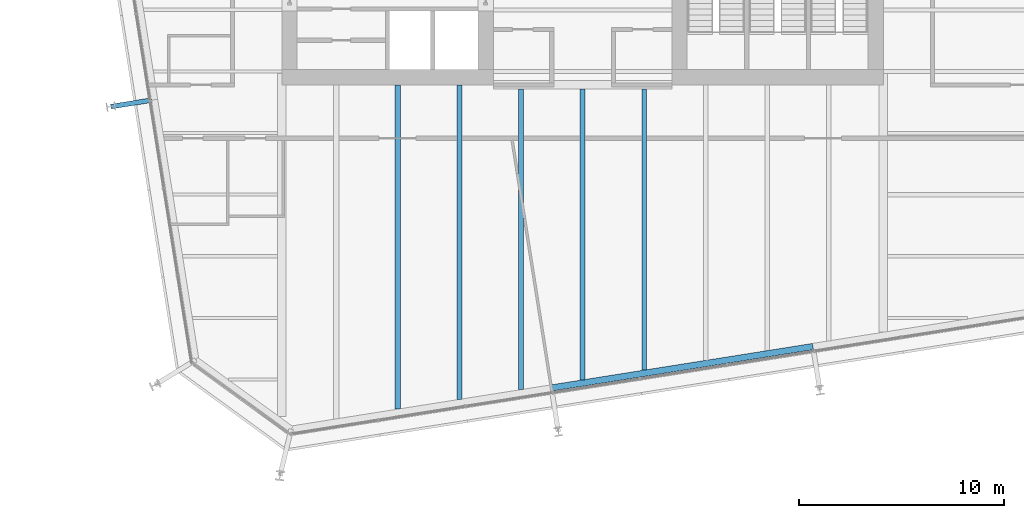
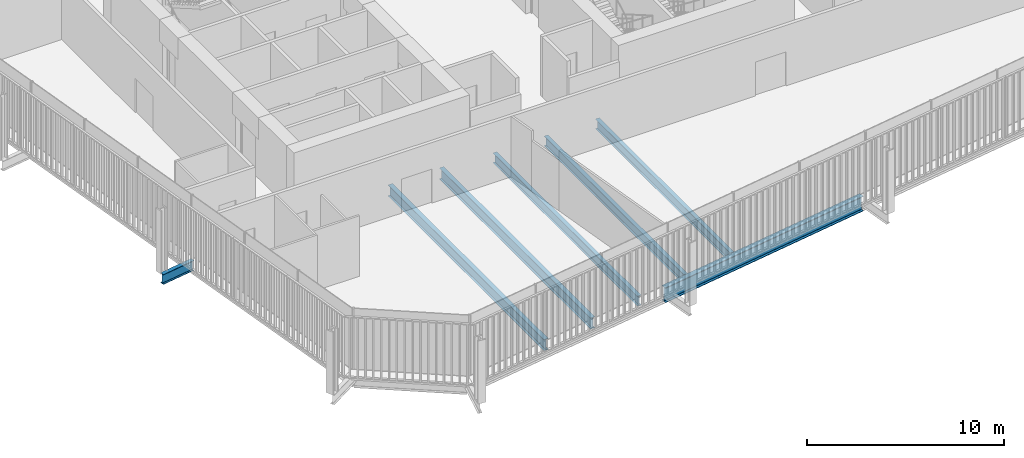
# One storey, part 3 of 21: 7 beams.
"""IFC4 building model written with IfcOpenShell, lengths in metres."""

import ifcopenshell
import ifcopenshell.guid

model = None  # the IFC model being written
_history = None  # IfcOwnerHistory: only IFC2X3 demands one
_inside = {}  # id of a spatial element -> (the spatial element, [elements in it])
_under = {}  # id of a project, library or spatial element -> (it, [spatial elements below it])
_declared = {}  # id of a project -> (the project, [libraries it declares])
_typed = {}  # id of a type object -> (the type object, [elements of that type])
_made_of = {}  # id of a material, layer set ... -> (it, [elements and type objects made of it])


def new_model(schema):
    """Start an empty IFC model of exactly this schema.

    Asked for "IFC4X3", IfcOpenShell would pick the latest addendum, in which some entities
    have other attributes; the version numbers below select the first issue.
    IFC2X3 requires an IfcOwnerHistory on every rooted entity: one is made here for all.
    """
    global model, _history
    if schema == "IFC4X3":
        model = ifcopenshell.file(schema_version=(4, 3, 0, 0))
    else:
        model = ifcopenshell.file(schema=schema)
    _inside.clear()
    _under.clear()
    _declared.clear()
    _typed.clear()
    _made_of.clear()
    _history = None
    if model.schema == "IFC2X3":
        org = make("IfcOrganization", Name="unknown")
        user = make(
            "IfcPersonAndOrganization",
            ThePerson=make("IfcPerson", FamilyName="unknown"),
            TheOrganization=org,
        )
        app = make(
            "IfcApplication",
            ApplicationDeveloper=org,
            Version="unknown",
            ApplicationFullName="unknown",
            ApplicationIdentifier="unknown",
        )
        _history = make(
            "IfcOwnerHistory",
            OwningUser=user,
            OwningApplication=app,
            ChangeAction="ADDED",
            CreationDate=0,
        )
    return model


def make(cls, **values):
    """One entity of the class cls with the attributes given. An attribute that is None is left unset."""
    return model.create_entity(
        cls, **{name: value for name, value in values.items() if value is not None}
    )


def rooted(cls, **values):
    """An entity with a GlobalId (a new one), such as an element, a storey or a relation."""
    return make(cls, GlobalId=ifcopenshell.guid.new(), OwnerHistory=_history, **values)


def si_unit(unit_type, name, prefix=None):
    """IfcSIUnit, for example si_unit("LENGTHUNIT", "METRE", prefix="MILLI")."""
    return make("IfcSIUnit", UnitType=unit_type, Prefix=prefix, Name=name)


def assignment(units):
    """IfcUnitAssignment: the units of a project."""
    return None if units is None else make("IfcUnitAssignment", Units=units)


def point(xyz):
    """IfcCartesianPoint."""
    return None if xyz is None else make("IfcCartesianPoint", Coordinates=xyz)


def direction(xyz):
    """IfcDirection."""
    return None if xyz is None else make("IfcDirection", DirectionRatios=xyz)


def frame(location, z_axis=None, x_axis=None):
    """IfcAxis2Placement3D, a coordinate frame: its origin and axes. An axis left out is left unset."""
    return make(
        "IfcAxis2Placement3D",
        Location=point(location),
        Axis=direction(z_axis),
        RefDirection=direction(x_axis),
    )


def frame_2d(location, x_axis=None):
    """IfcAxis2Placement2D, a coordinate frame in the plane: its origin and x axis."""
    return make(
        "IfcAxis2Placement2D", Location=point(location), RefDirection=direction(x_axis)
    )


def origin():
    """The frame at (0, 0, 0) with its axes left unset."""
    return frame((0.0, 0.0, 0.0))


def origin_2d():
    """The frame at (0, 0) in the plane with its x axis left unset."""
    return frame_2d((0.0, 0.0))


def place(relative_to, where):
    """IfcLocalPlacement: puts the frame where relative to a parent placement (None: the world)."""
    return make(
        "IfcLocalPlacement", PlacementRelTo=relative_to, RelativePlacement=where
    )


def context(
    kind, dimensions, precision=None, world=None, true_north=None, identifier=None
):
    """IfcGeometricRepresentationContext, for example the 3D "Model" context."""
    return make(
        "IfcGeometricRepresentationContext",
        ContextIdentifier=identifier,
        ContextType=kind,
        CoordinateSpaceDimension=dimensions,
        Precision=precision,
        WorldCoordinateSystem=world,
        TrueNorth=true_north,
    )


def subcontext(parent, identifier, kind, view, scale=None):
    """IfcGeometricRepresentationSubContext, for example "Body" below "Model"."""
    return make(
        "IfcGeometricRepresentationSubContext",
        ContextIdentifier=identifier,
        ContextType=kind,
        ParentContext=parent,
        TargetScale=scale,
        TargetView=view,
    )


def project(units=None, contexts=None):
    """IfcProject with its units and contexts."""
    return rooted(
        "IfcProject",
        Name="project",
        RepresentationContexts=contexts,
        UnitsInContext=assignment(units),
    )


def spatial(cls, under=None, at=None, **own):
    """A site, building, storey or space (cls), placed at a placement, below another one or the project."""
    s = rooted(cls, ObjectPlacement=at, **own)
    if under is not None:
        _under.setdefault(under.id(), (under, []))[1].append(s)
    return s


def profile(cls, at=None, kind="AREA", **sizes):
    """A parametric profile (cls). Its sizes go by their IFC names, for example OverallWidth=200.0."""
    return make(cls, ProfileType=kind, Position=at, **sizes)


def i_section(**sizes):
    """IfcIShapeProfileDef."""
    return profile("IfcIShapeProfileDef", **sizes)


def extrude(swept, where, along, depth):
    """IfcExtrudedAreaSolid: the profile swept, set in the frame where, extruded along a direction by depth."""
    return make(
        "IfcExtrudedAreaSolid",
        SweptArea=swept,
        Position=where,
        ExtrudedDirection=direction(along),
        Depth=depth,
    )


def shape(context_of_items, identifier, shape_type, items):
    """IfcShapeRepresentation: the items that make up one representation, for example the "Body"."""
    return make(
        "IfcShapeRepresentation",
        ContextOfItems=context_of_items,
        RepresentationIdentifier=identifier,
        RepresentationType=shape_type,
        Items=items,
    )


def material(Name=None, Category=None):
    """IfcMaterial."""
    return make("IfcMaterial", Name=Name, Category=Category)


def material_profile(
    of_material, cross_section, Name=None, Category=None, Priority=None
):
    """IfcMaterialProfile: a cross section and its material."""
    return make(
        "IfcMaterialProfile",
        Name=Name,
        Material=of_material,
        Profile=cross_section,
        Priority=Priority,
        Category=Category,
    )


def profile_set(profiles, Name=None, composite=None):
    """IfcMaterialProfileSet."""
    return make(
        "IfcMaterialProfileSet",
        Name=Name,
        MaterialProfiles=profiles,
        CompositeProfile=composite,
    )


def made_of(thing, what):
    """Note that an element or type object is made of a material, layer set ...; save() writes the relation."""
    if what is not None:
        _made_of.setdefault(what.id(), (what, []))[1].append(thing)
    return thing


def type_object(cls, material=None, **own):
    """A type object (cls), such as IfcWallType, which elements share."""
    return made_of(rooted(cls, **own), material)


def element(
    cls,
    number,
    at=None,
    inside=None,
    cuts=None,
    type_object=None,
    material=None,
    context=None,
    identifier="Body",
    shape_type=None,
    held_by="IfcProductDefinitionShape",
    body=None,
    shapes=None,
    **own,
):
    """One element of the class cls, such as IfcWall. Its Tag is "e" and its number.

    at: its placement. inside: the storey or other place that contains it. cuts: it is an
    opening in that element (IfcRelVoidsElement). A single representation is given by context,
    identifier, shape_type and body (its items); several are given by shapes. held_by: the class
    of the entity that holds the representations. save() writes the other relations.
    """
    e = rooted(cls, Tag="e%d" % number, ObjectPlacement=at, **own)
    if body is not None:
        shapes = [shape(context, identifier, shape_type, body)]
    if shapes is not None:
        e.Representation = make(held_by, Representations=shapes)
    if inside is not None:
        _inside.setdefault(inside.id(), (inside, []))[1].append(e)
    if cuts is not None:
        rooted(
            "IfcRelVoidsElement", RelatingBuildingElement=cuts, RelatedOpeningElement=e
        )
    if type_object is not None:
        _typed.setdefault(type_object.id(), (type_object, []))[1].append(e)
    return made_of(e, material)


def aggregate(whole, parts):
    """IfcRelAggregates: a whole, such as a stair, and the parts it consists of."""
    return rooted("IfcRelAggregates", RelatingObject=whole, RelatedObjects=parts)


def save(model, path):
    """Write the relations noted so far, then the file.

    IfcRelAggregates (storeys below a building ...), IfcRelContainedInSpatialStructure (elements
    in a storey), IfcRelDefinesByType, IfcRelAssociatesMaterial and IfcRelDeclares: one each for
    every whole, place, type object, material and project.
    """
    for whole, parts in _under.values():
        aggregate(whole, parts)
    for where, things in _inside.values():
        rooted(
            "IfcRelContainedInSpatialStructure",
            RelatedElements=things,
            RelatingStructure=where,
        )
    for kind, things in _typed.values():
        rooted("IfcRelDefinesByType", RelatedObjects=things, RelatingType=kind)
    for what, things in _made_of.values():
        rooted("IfcRelAssociatesMaterial", RelatedObjects=things, RelatingMaterial=what)
    for by, libraries in _declared.values():
        rooted("IfcRelDeclares", RelatingContext=by, RelatedDefinitions=libraries)
    model.write(path)


model = new_model("IFC4")

# Units and contexts
model_context = context("Model", 3, precision=1e-05, world=origin(), true_north=direction((0.0, 1.0)))
body_context = subcontext(model_context, "Body", "Model", "MODEL_VIEW")
ifc_project = project(units=[si_unit("LENGTHUNIT", "METRE"), si_unit("AREAUNIT", "SQUARE_METRE"), si_unit("VOLUMEUNIT", "CUBIC_METRE"), si_unit("PLANEANGLEUNIT", "RADIAN"), si_unit("MASSUNIT", "GRAM", prefix="KILO")], contexts=[model_context])

# Site, building, storey
site_placement = place(None, origin())
site = spatial("IfcSite", under=ifc_project, at=site_placement, CompositionType="ELEMENT")
building_placement = place(site_placement, origin())
building = spatial("IfcBuilding", under=site, at=building_placement, Name="Millrace Tower", CompositionType="ELEMENT")
storey_placement = place(building_placement, frame((0.0, 0.0, 156.800048828125)))
storey = spatial("IfcBuildingStorey", under=building, at=storey_placement, Name="L35", CompositionType="ELEMENT", Elevation=156.800048828125)

# Beams
ifc_material_1 = material(Name="Steel ASTM A992 Grade 50", Category="steel")
ifc_material_profile_1 = material_profile(ifc_material_1, i_section(OverallWidth=0.228271484375, OverallDepth=0.607177734375, WebThickness=0.01123046875, FlangeThickness=0.017333984375, FilletRadius=0.0126953125, at=origin_2d()))
ifc_profile_set_1 = profile_set([ifc_material_profile_1], Name="Steel ASTM A992 Grade 50")
beam_type_1 = type_object("IfcBeamType", Name="Floor beam W24x76", PredefinedType="JOIST", material=ifc_profile_set_1)
beam_1_placement = place(storey_placement, frame((-3.0, -24.4970703125, -0.463623046875), z_axis=(0.0, 1.0, 0.0), x_axis=(-1.0, 0.0, 0.0)))
element("IfcBeam", 1, at=beam_1_placement, inside=storey, type_object=beam_type_1, Name="BM-C-L35-S1-S046", PredefinedType="JOIST", context=body_context, shape_type="SweptSolid", body=[
    extrude(i_section(OverallWidth=0.228271484375, OverallDepth=0.607177734375, WebThickness=0.01123046875, FlangeThickness=0.017333984375, FilletRadius=0.0126953125, at=origin_2d()), origin(), (0.0, 0.0, 1.0), 14.637451171875),
])
beam_2_placement = place(storey_placement, frame((0.0, -24.021728515625, -0.463623046875), z_axis=(0.0, 1.0, 0.0), x_axis=(-1.0, 0.0, 0.0)))
element("IfcBeam", 2, at=beam_2_placement, inside=storey, type_object=beam_type_1, Name="BM-C-L35-S1-S048", PredefinedType="JOIST", context=body_context, shape_type="SweptSolid", body=[
    extrude(i_section(OverallWidth=0.228271484375, OverallDepth=0.607177734375, WebThickness=0.01123046875, FlangeThickness=0.017333984375, FilletRadius=0.0126953125, at=origin_2d()), origin(), (0.0, 0.0, 1.0), 14.162109375),
])
beam_3_placement = place(storey_placement, frame((3.0, -23.546630859375, -0.463623046875), z_axis=(0.0, 1.0, 0.0), x_axis=(-1.0, 0.0, 0.0)))
element("IfcBeam", 3, at=beam_3_placement, inside=storey, type_object=beam_type_1, Name="BM-C-L35-S1-S050", PredefinedType="JOIST", context=body_context, shape_type="SweptSolid", body=[
    extrude(i_section(OverallWidth=0.228271484375, OverallDepth=0.607177734375, WebThickness=0.01123046875, FlangeThickness=0.017333984375, FilletRadius=0.0126953125, at=origin_2d()), origin(), (0.0, 0.0, 1.0), 13.68701171875),
])
ifc_material_2 = material(Name="Steel ASTM A992 Grade 50", Category="steel")
ifc_material_profile_2 = material_profile(ifc_material_2, i_section(OverallWidth=0.256591796875, OverallDepth=0.693359375, WebThickness=0.014404296875, FlangeThickness=0.023681640625, FilletRadius=0.01513671875, at=origin_2d()))
ifc_profile_set_2 = profile_set([ifc_material_profile_2], Name="Steel ASTM A992 Grade 50")
beam_type_2 = type_object("IfcBeamType", Name="Floor beam W27x114", PredefinedType="JOIST", material=ifc_profile_set_2)
beam_4_placement = place(storey_placement, frame((-9.0, -25.447265625, -0.5068359375), z_axis=(0.0, 1.0, 0.0), x_axis=(-1.0, 0.0, 0.0)))
element("IfcBeam", 4, at=beam_4_placement, inside=storey, type_object=beam_type_2, Name="BM-C-L35-S1-S042", PredefinedType="JOIST", context=body_context, shape_type="SweptSolid", body=[
    extrude(i_section(OverallWidth=0.256591796875, OverallDepth=0.693359375, WebThickness=0.014404296875, FlangeThickness=0.023681640625, FilletRadius=0.01513671875, at=origin_2d()), origin(), (0.0, 0.0, 1.0), 15.79736328125),
])
beam_5_placement = place(storey_placement, frame((-6.0, -24.97216796875, -0.5068359375), z_axis=(0.0, 1.0, 0.0), x_axis=(-1.0, 0.0, 0.0)))
element("IfcBeam", 5, at=beam_5_placement, inside=storey, type_object=beam_type_2, Name="BM-C-L35-S1-S044", PredefinedType="JOIST", context=body_context, shape_type="SweptSolid", body=[
    extrude(i_section(OverallWidth=0.256591796875, OverallDepth=0.693359375, WebThickness=0.014404296875, FlangeThickness=0.023681640625, FilletRadius=0.01513671875, at=origin_2d()), origin(), (0.0, 0.0, 1.0), 15.322265625),
])
ifc_material_3 = material(Name="Steel ASTM A992 Grade 50", Category="steel")
ifc_material_profile_3 = material_profile(ifc_material_3, i_section(OverallWidth=0.23046875, OverallDepth=0.6171875, WebThickness=0.01318359375, FlangeThickness=0.022216796875, FilletRadius=0.012939453125, at=origin_2d()))
ifc_profile_set_3 = profile_set([ifc_material_profile_3], Name="Steel ASTM A992 Grade 50")
beam_type_3 = type_object("IfcBeamType", Name="Link beam W24x94", PredefinedType="BEAM", material=ifc_profile_set_3)
beam_6_placement = place(storey_placement, frame((-21.001708984375, -10.396728515625, -0.46875), z_axis=(-0.987678691416, -0.156495375404, 0.0), x_axis=(0.156495375404, -0.987678691416, 0.0)))
element("IfcBeam", 6, at=beam_6_placement, inside=storey, type_object=beam_type_3, Name="LNK-C-L35-S1-02", PredefinedType="BEAM", context=body_context, shape_type="SweptSolid", body=[
    extrude(i_section(OverallWidth=0.23046875, OverallDepth=0.6171875, WebThickness=0.01318359375, FlangeThickness=0.022216796875, FilletRadius=0.012939453125, at=origin_2d()), origin(), (0.0, 0.0, 1.0), 2.0),
])
ifc_material_4 = material(Name="Steel ASTM A992 Grade 50", Category="steel")
ifc_material_profile_4 = material_profile(ifc_material_4, i_section(OverallWidth=0.307373046875, OverallDepth=0.927001953125, WebThickness=0.01953125, FlangeThickness=0.031982421875, FilletRadius=0.01904296875, at=origin_2d()))
ifc_profile_set_4 = profile_set([ifc_material_profile_4], Name="Steel ASTM A992 Grade 50")
beam_type_4 = type_object("IfcBeamType", Name="Ring beam medium span W36x194", PredefinedType="SPANDREL", material=ifc_profile_set_4)
beam_7_placement = place(storey_placement, frame((11.22265625, -22.39990234375, -0.62353515625), z_axis=(-0.987687196578, -0.156441687909, 0.0), x_axis=(0.156441687909, -0.987687196578, 0.0)))
element("IfcBeam", 7, at=beam_7_placement, inside=storey, type_object=beam_type_4, Name="RNG-C-L35-S1-14", PredefinedType="SPANDREL", context=body_context, shape_type="SweptSolid", body=[
    extrude(i_section(OverallWidth=0.307373046875, OverallDepth=0.927001953125, WebThickness=0.01953125, FlangeThickness=0.031982421875, FilletRadius=0.01904296875, at=origin_2d()), origin(), (0.0, 0.0, 1.0), 12.89990234375),
])

save(model, "model.ifc")
